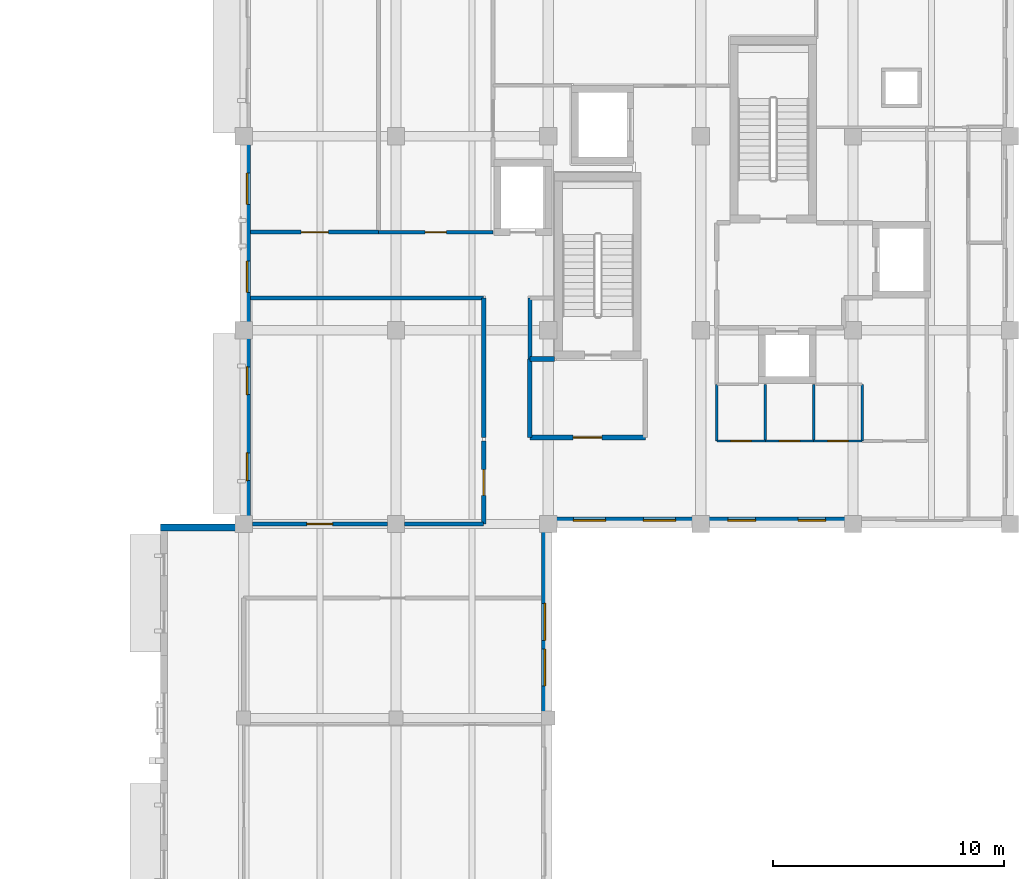
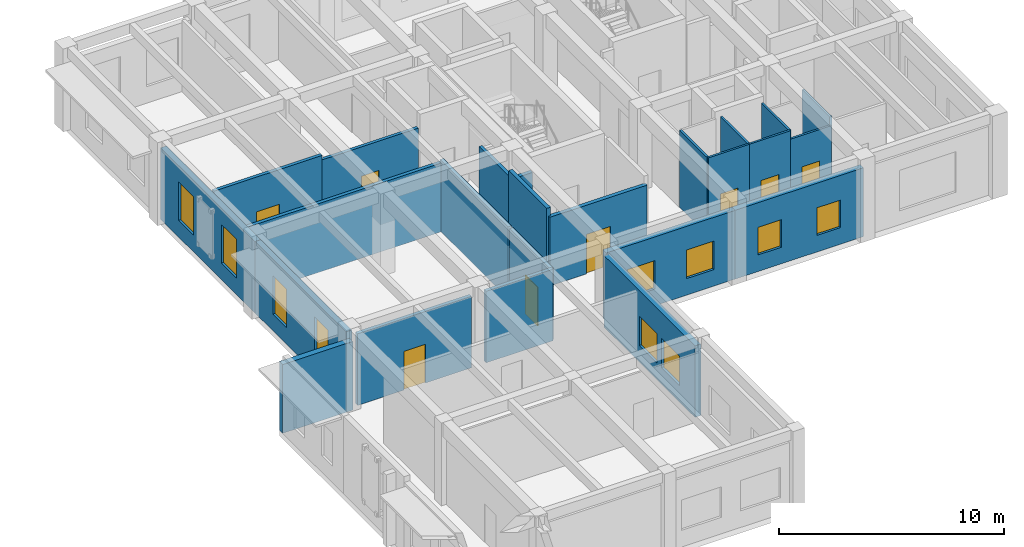
# One storey, part 12 of 25: 24 walls, 10 windows, 8 doors, 18 openings.
"""IFC4 building model written with IfcOpenShell, lengths in metres."""

from ifc_helpers import new_model, si_unit, direction, frame, frame_2d, origin, place, context, subcontext, project, spatial, rectangle, extrude, material, layer, layer_set, type_object, element, fill, save


model = new_model("IFC4")

# Units and contexts
model_context = context("Model", 3, precision=1e-05, world=origin(), true_north=direction((0.0, 1.0)))
body_context = subcontext(model_context, "Body", "Model", "MODEL_VIEW")
ifc_project = project(units=[si_unit("LENGTHUNIT", "METRE"), si_unit("AREAUNIT", "SQUARE_METRE"), si_unit("VOLUMEUNIT", "CUBIC_METRE"), si_unit("PLANEANGLEUNIT", "RADIAN"), si_unit("MASSUNIT", "GRAM", prefix="KILO")], contexts=[model_context])

# Site, building, storey
site_placement = place(None, origin())
site = spatial("IfcSite", under=ifc_project, at=site_placement, CompositionType="ELEMENT")
building_placement = place(site_placement, origin())
building = spatial("IfcBuilding", under=site, at=building_placement, Name="Kolvaren Faculty of Natural Sciences", CompositionType="ELEMENT")
storey_placement = place(building_placement, frame((0.0, 0.0, 19.5)))
storey = spatial("IfcBuildingStorey", under=building, at=storey_placement, Name="L04", CompositionType="ELEMENT", Elevation=19.5)

# Wall, opening, door
ifc_material_1 = material(Name="Acoustic mineral-wool insulated gypsum partition")
ifc_layer_1 = layer(ifc_material_1, 0.159912109375)
ifc_layer_set_1 = layer_set([ifc_layer_1], Name="Acoustic mineral-wool insulated gypsum partition")
wall_type_1 = type_object("IfcWallType", Name="ClassroomPartitionWall_160", PredefinedType="PARTITIONING", material=ifc_layer_set_1)
wall_1_placement = place(storey_placement, frame((149.60009765625, 71.64990234375, 0.0), z_axis=(0.0, 0.0, 1.0), x_axis=(-1.0, 0.0, 0.0)))
wall_1 = element("IfcWall", 1, at=wall_1_placement, inside=storey, type_object=wall_type_1, Name="L04 interior partition PW-160", PredefinedType="PARTITIONING", context=body_context, shape_type="SweptSolid", body=[
    extrude(rectangle(XDim=4.9501953125, YDim=0.159912109375, at=frame_2d((2.47509765625, 0.0))), origin(), (0.0, 0.0, 1.0), 3.735107421875),
])
opening_1_placement = place(wall_1_placement, frame((2.014892578125, 0.0, 0.0)))
opening_1 = element("IfcOpeningElement", 2, at=opening_1_placement, cuts=wall_1, Name="Opening ID-19", PredefinedType="OPENING", context=body_context, shape_type="SweptSolid", body=[
    extrude(rectangle(XDim=0.919921875, YDim=2.139892578125, at=frame_2d((0.4599609375, 1.06982421875))), frame((0.0, 0.08984375, 0.0), z_axis=(0.0, -1.0, 0.0), x_axis=(1.0, 0.0, 0.0)), (0.0, 0.0, 1.0), 0.179931640625),
])
ifc_material_2 = material(Name="Solid-core hardwood veneer door leaf in steel frame", Category="steel")
door_type_1 = type_object("IfcDoorType", Name="InteriorRoomDoor_920x2140", OperationType="NOTDEFINED", PredefinedType="DOOR", material=ifc_material_2)
door_1_placement = place(opening_1_placement, origin())
door_1 = element("IfcDoor", 3, at=door_1_placement, inside=storey, type_object=door_type_1, Name="D-L04-0288", OperationType="SINGLE_SWING_LEFT", OverallHeight=2.139892578125, OverallWidth=0.919921875, PredefinedType="DOOR", context=body_context, shape_type="SweptSolid", body=[
    extrude(rectangle(XDim=0.919921875, YDim=2.139892578125, at=frame_2d((0.4599609375, 1.06982421875))), frame((0.0, 0.02490234375, 0.0), z_axis=(0.0, -1.0, 0.0), x_axis=(1.0, 0.0, 0.0)), (0.0, 0.0, 1.0), 0.050048828125),
])
fill(opening_1, door_1)

# Wall
ifc_material_3 = material(Name="Sandstone-faced insulated cavity masonry", Category="masonry")
ifc_layer_2 = layer(ifc_material_3, 0.300048828125)
ifc_layer_set_2 = layer_set([ifc_layer_2], Name="Sandstone-faced insulated cavity masonry")
wall_type_2 = type_object("IfcWallType", Name="ExteriorCavityWall_300", PredefinedType="STANDARD", material=ifc_layer_set_2)
wall_2_placement = place(storey_placement, frame((135.199951171875, 58.85009765625, 0.0), z_axis=(0.0, 0.0, 1.0), x_axis=(1.0, 0.0, 0.0)))
element("IfcWall", 4, at=wall_2_placement, inside=storey, type_object=wall_type_2, Name="L04 exterior masonry wall EW-300 (602)", PredefinedType="STANDARD", context=body_context, shape_type="SweptSolid", body=[
    extrude(rectangle(XDim=3.60009765625, YDim=0.300048828125, at=frame_2d((1.800048828125, 0.0))), origin(), (0.0, 0.0, 1.0), 3.735107421875),
])

# Wall, openings, windows
wall_3_placement = place(storey_placement, frame((138.949951171875, 59.300048828125, 0.0), z_axis=(0.0, 0.0, 1.0), x_axis=(0.0, 1.0, 0.0)))
wall_3 = element("IfcWall", 5, at=wall_3_placement, inside=storey, type_object=wall_type_2, Name="L04 exterior masonry wall EW-300 (603)", PredefinedType="STANDARD", context=body_context, shape_type="SweptSolid", body=[
    extrude(rectangle(XDim=8.099853515625, YDim=0.300048828125, at=frame_2d((4.0498046875, 0.0))), origin(), (0.0, 0.0, 1.0), 3.885009765625),
])
opening_2_placement = place(wall_3_placement, frame((1.5869140625, 0.0, 0.89990234375)))
opening_2 = element("IfcOpeningElement", 6, at=opening_2_placement, cuts=wall_3, Name="Opening WIN-01", PredefinedType="OPENING", context=body_context, shape_type="SweptSolid", body=[
    extrude(rectangle(XDim=1.199951171875, YDim=2.10009765625, at=frame_2d((0.60009765625, 1.050048828125))), frame((0.0, 0.159912109375, 0.0), z_axis=(0.0, -1.0, 0.0), x_axis=(1.0, 0.0, 0.0)), (0.0, 0.0, 1.0), 0.320068359375),
])
opening_3_placement = place(wall_3_placement, frame((5.31298828125, 0.0, 0.89990234375)))
opening_3 = element("IfcOpeningElement", 7, at=opening_3_placement, cuts=wall_3, Name="Opening WIN-01", PredefinedType="OPENING", context=body_context, shape_type="SweptSolid", body=[
    extrude(rectangle(XDim=1.199951171875, YDim=2.10009765625, at=frame_2d((0.60009765625, 1.050048828125))), frame((0.0, 0.159912109375, 0.0), z_axis=(0.0, -1.0, 0.0), x_axis=(1.0, 0.0, 0.0)), (0.0, 0.0, 1.0), 0.320068359375),
])
ifc_material_4 = material(Name="Double low-E solar control insulated glazing", Category="glass")
window_type_1 = type_object("IfcWindowType", Name="AluWindow_WIN01_1200x2100", PartitioningType="SINGLE_PANEL", PredefinedType="WINDOW", material=ifc_material_4)
window_1_placement = place(opening_2_placement, origin())
window_1 = element("IfcWindow", 8, at=window_1_placement, inside=storey, type_object=window_type_1, Name="WIN-L04-0388", OverallHeight=2.10009765625, OverallWidth=1.199951171875, PartitioningType="SINGLE_PANEL", PredefinedType="WINDOW", context=body_context, shape_type="SweptSolid", body=[
    extrude(rectangle(XDim=1.199951171875, YDim=2.10009765625, at=frame_2d((0.60009765625, 1.050048828125))), frame((0.0, 0.030029296875, 0.0), z_axis=(0.0, -1.0, 0.0), x_axis=(1.0, 0.0, 0.0)), (0.0, 0.0, 1.0), 0.06005859375),
])
fill(opening_2, window_1)
window_2_placement = place(opening_3_placement, origin())
window_2 = element("IfcWindow", 9, at=window_2_placement, inside=storey, type_object=window_type_1, Name="WIN-L04-0389", OverallHeight=2.10009765625, OverallWidth=1.199951171875, PartitioningType="SINGLE_PANEL", PredefinedType="WINDOW", context=body_context, shape_type="SweptSolid", body=[
    extrude(rectangle(XDim=1.199951171875, YDim=2.10009765625, at=frame_2d((0.60009765625, 1.050048828125))), frame((0.0, 0.030029296875, 0.0), z_axis=(0.0, -1.0, 0.0), x_axis=(1.0, 0.0, 0.0)), (0.0, 0.0, 1.0), 0.06005859375),
])
fill(opening_3, window_2)

wall_4_placement = place(storey_placement, frame((138.949951171875, 67.39990234375, 0.0), z_axis=(0.0, 0.0, 1.0), x_axis=(0.0, 1.0, 0.0)))
wall_4 = element("IfcWall", 10, at=wall_4_placement, inside=storey, type_object=wall_type_2, Name="L04 exterior masonry wall EW-300 (604)", PredefinedType="STANDARD", context=body_context, shape_type="SweptSolid", body=[
    extrude(rectangle(XDim=8.400146484375, YDim=0.300048828125, at=frame_2d((4.2001953125, 0.0))), origin(), (0.0, 0.0, 1.0), 3.885009765625),
])
opening_4_placement = place(wall_4_placement, frame((1.639892578125, 0.0, 0.89990234375)))
opening_4 = element("IfcOpeningElement", 11, at=opening_4_placement, cuts=wall_4, Name="Opening WIN-02", PredefinedType="OPENING", context=body_context, shape_type="SweptSolid", body=[
    extrude(rectangle(XDim=1.35009765625, YDim=2.10009765625, at=frame_2d((0.675048828125, 1.050048828125))), frame((0.0, 0.159912109375, 0.0), z_axis=(0.0, -1.0, 0.0), x_axis=(1.0, 0.0, 0.0)), (0.0, 0.0, 1.0), 0.320068359375),
])
opening_5_placement = place(wall_4_placement, frame((5.45703125, 0.0, 0.89990234375)))
opening_5 = element("IfcOpeningElement", 12, at=opening_5_placement, cuts=wall_4, Name="Opening WIN-02", PredefinedType="OPENING", context=body_context, shape_type="SweptSolid", body=[
    extrude(rectangle(XDim=1.35009765625, YDim=2.10009765625, at=frame_2d((0.675048828125, 1.050048828125))), frame((0.0, 0.159912109375, 0.0), z_axis=(0.0, -1.0, 0.0), x_axis=(1.0, 0.0, 0.0)), (0.0, 0.0, 1.0), 0.320068359375),
])
window_type_2 = type_object("IfcWindowType", Name="AluWindow_WIN02_1350x2100", PartitioningType="SINGLE_PANEL", PredefinedType="WINDOW", material=ifc_material_4)
window_3_placement = place(opening_4_placement, origin())
window_3 = element("IfcWindow", 13, at=window_3_placement, inside=storey, type_object=window_type_2, Name="WIN-L04-0390", OverallHeight=2.10009765625, OverallWidth=1.35009765625, PartitioningType="SINGLE_PANEL", PredefinedType="WINDOW", context=body_context, shape_type="SweptSolid", body=[
    extrude(rectangle(XDim=1.35009765625, YDim=2.10009765625, at=frame_2d((0.675048828125, 1.050048828125))), frame((0.0, 0.030029296875, 0.0), z_axis=(0.0, -1.0, 0.0), x_axis=(1.0, 0.0, 0.0)), (0.0, 0.0, 1.0), 0.06005859375),
])
fill(opening_4, window_3)
window_4_placement = place(opening_5_placement, origin())
window_4 = element("IfcWindow", 14, at=window_4_placement, inside=storey, type_object=window_type_2, Name="WIN-L04-0391", OverallHeight=2.10009765625, OverallWidth=1.35009765625, PartitioningType="SINGLE_PANEL", PredefinedType="WINDOW", context=body_context, shape_type="SweptSolid", body=[
    extrude(rectangle(XDim=1.35009765625, YDim=2.10009765625, at=frame_2d((0.675048828125, 1.050048828125))), frame((0.0, 0.030029296875, 0.0), z_axis=(0.0, -1.0, 0.0), x_axis=(1.0, 0.0, 0.0)), (0.0, 0.0, 1.0), 0.06005859375),
])
fill(opening_5, window_4)

wall_5_placement = place(storey_placement, frame((165.199951171875, 59.14990234375, 0.0), z_axis=(0.0, 0.0, 1.0), x_axis=(-1.0, 0.0, 0.0)))
wall_5 = element("IfcWall", 15, at=wall_5_placement, inside=storey, type_object=wall_type_2, Name="L04 exterior masonry wall EW-300 (615)", PredefinedType="STANDARD", context=body_context, shape_type="SweptSolid", body=[
    extrude(rectangle(XDim=6.599853515625, YDim=0.300048828125, at=frame_2d((3.2998046875, 0.0))), origin(), (0.0, 0.0, 1.0), 3.735107421875),
])
opening_6_placement = place(wall_5_placement, frame((1.181884765625, 0.0, 0.89990234375)))
opening_6 = element("IfcOpeningElement", 16, at=opening_6_placement, cuts=wall_5, Name="Opening WIN-13", PredefinedType="OPENING", context=body_context, shape_type="SweptSolid", body=[
    extrude(rectangle(XDim=1.199951171875, YDim=1.5, at=frame_2d((0.60009765625, 0.75))), frame((0.0, 0.159912109375, 0.0), z_axis=(0.0, -1.0, 0.0), x_axis=(1.0, 0.0, 0.0)), (0.0, 0.0, 1.0), 0.320068359375),
])
opening_7_placement = place(wall_5_placement, frame((4.218017578125, 0.0, 0.89990234375)))
opening_7 = element("IfcOpeningElement", 17, at=opening_7_placement, cuts=wall_5, Name="Opening WIN-13", PredefinedType="OPENING", context=body_context, shape_type="SweptSolid", body=[
    extrude(rectangle(XDim=1.199951171875, YDim=1.5, at=frame_2d((0.60009765625, 0.75))), frame((0.0, 0.159912109375, 0.0), z_axis=(0.0, -1.0, 0.0), x_axis=(1.0, 0.0, 0.0)), (0.0, 0.0, 1.0), 0.320068359375),
])
window_type_3 = type_object("IfcWindowType", Name="AluWindow_WIN13_1200x1500", PartitioningType="SINGLE_PANEL", PredefinedType="WINDOW", material=ifc_material_4)
window_5_placement = place(opening_6_placement, origin())
window_5 = element("IfcWindow", 18, at=window_5_placement, inside=storey, type_object=window_type_3, Name="WIN-L04-0407", OverallHeight=1.5, OverallWidth=1.199951171875, PartitioningType="SINGLE_PANEL", PredefinedType="WINDOW", context=body_context, shape_type="SweptSolid", body=[
    extrude(rectangle(XDim=1.199951171875, YDim=1.5, at=frame_2d((0.60009765625, 0.75))), frame((0.0, 0.030029296875, 0.0), z_axis=(0.0, -1.0, 0.0), x_axis=(1.0, 0.0, 0.0)), (0.0, 0.0, 1.0), 0.06005859375),
])
fill(opening_6, window_5)
window_6_placement = place(opening_7_placement, origin())
window_6 = element("IfcWindow", 19, at=window_6_placement, inside=storey, type_object=window_type_3, Name="WIN-L04-0408", OverallHeight=1.5, OverallWidth=1.199951171875, PartitioningType="SINGLE_PANEL", PredefinedType="WINDOW", context=body_context, shape_type="SweptSolid", body=[
    extrude(rectangle(XDim=1.199951171875, YDim=1.5, at=frame_2d((0.60009765625, 0.75))), frame((0.0, 0.030029296875, 0.0), z_axis=(0.0, -1.0, 0.0), x_axis=(1.0, 0.0, 0.0)), (0.0, 0.0, 1.0), 0.06005859375),
])
fill(opening_7, window_6)

wall_6_placement = place(storey_placement, frame((158.60009765625, 59.14990234375, 0.0), z_axis=(0.0, 0.0, 1.0), x_axis=(-1.0, 0.0, 0.0)))
wall_6 = element("IfcWall", 20, at=wall_6_placement, inside=storey, type_object=wall_type_2, Name="L04 exterior masonry wall EW-300 (616)", PredefinedType="STANDARD", context=body_context, shape_type="SweptSolid", body=[
    extrude(rectangle(XDim=6.60009765625, YDim=0.300048828125, at=frame_2d((3.300048828125, 0.0))), origin(), (0.0, 0.0, 1.0), 3.735107421875),
])
opening_8_placement = place(wall_6_placement, frame((1.08203125, 0.0, 0.89990234375)))
opening_8 = element("IfcOpeningElement", 21, at=opening_8_placement, cuts=wall_6, Name="Opening WIN-14", PredefinedType="OPENING", context=body_context, shape_type="SweptSolid", body=[
    extrude(rectangle(XDim=1.39990234375, YDim=1.550048828125, at=frame_2d((0.699951171875, 0.77490234375))), frame((0.0, 0.159912109375, 0.0), z_axis=(0.0, -1.0, 0.0), x_axis=(1.0, 0.0, 0.0)), (0.0, 0.0, 1.0), 0.320068359375),
])
opening_9_placement = place(wall_6_placement, frame((4.117919921875, 0.0, 0.89990234375)))
opening_9 = element("IfcOpeningElement", 22, at=opening_9_placement, cuts=wall_6, Name="Opening WIN-14", PredefinedType="OPENING", context=body_context, shape_type="SweptSolid", body=[
    extrude(rectangle(XDim=1.39990234375, YDim=1.550048828125, at=frame_2d((0.699951171875, 0.77490234375))), frame((0.0, 0.159912109375, 0.0), z_axis=(0.0, -1.0, 0.0), x_axis=(1.0, 0.0, 0.0)), (0.0, 0.0, 1.0), 0.320068359375),
])
window_type_4 = type_object("IfcWindowType", Name="AluWindow_WIN14_1400x1550", PartitioningType="SINGLE_PANEL", PredefinedType="WINDOW", material=ifc_material_4)
window_7_placement = place(opening_8_placement, origin())
window_7 = element("IfcWindow", 23, at=window_7_placement, inside=storey, type_object=window_type_4, Name="WIN-L04-0409", OverallHeight=1.550048828125, OverallWidth=1.39990234375, PartitioningType="SINGLE_PANEL", PredefinedType="WINDOW", context=body_context, shape_type="SweptSolid", body=[
    extrude(rectangle(XDim=1.39990234375, YDim=1.550048828125, at=frame_2d((0.699951171875, 0.77490234375))), frame((0.0, 0.030029296875, 0.0), z_axis=(0.0, -1.0, 0.0), x_axis=(1.0, 0.0, 0.0)), (0.0, 0.0, 1.0), 0.06005859375),
])
fill(opening_8, window_7)
window_8_placement = place(opening_9_placement, origin())
window_8 = element("IfcWindow", 24, at=window_8_placement, inside=storey, type_object=window_type_4, Name="WIN-L04-0410", OverallHeight=1.550048828125, OverallWidth=1.39990234375, PartitioningType="SINGLE_PANEL", PredefinedType="WINDOW", context=body_context, shape_type="SweptSolid", body=[
    extrude(rectangle(XDim=1.39990234375, YDim=1.550048828125, at=frame_2d((0.699951171875, 0.77490234375))), frame((0.0, 0.030029296875, 0.0), z_axis=(0.0, -1.0, 0.0), x_axis=(1.0, 0.0, 0.0)), (0.0, 0.0, 1.0), 0.06005859375),
])
fill(opening_9, window_8)

wall_7_placement = place(storey_placement, frame((151.85009765625, 58.699951171875, 0.0), z_axis=(0.0, 0.0, 1.0), x_axis=(0.0, -1.0, 0.0)))
wall_7 = element("IfcWall", 25, at=wall_7_placement, inside=storey, type_object=wall_type_2, Name="L04 exterior masonry wall EW-300 (617)", PredefinedType="STANDARD", context=body_context, shape_type="SweptSolid", body=[
    extrude(rectangle(XDim=8.099853515625, YDim=0.300048828125, at=frame_2d((4.0498046875, 0.0))), origin(), (0.0, 0.0, 1.0), 3.885009765625),
])
opening_10_placement = place(wall_7_placement, frame((3.139892578125, 0.0, 0.89990234375)))
opening_10 = element("IfcOpeningElement", 26, at=opening_10_placement, cuts=wall_7, Name="Opening WIN-15", PredefinedType="OPENING", context=body_context, shape_type="SweptSolid", body=[
    extrude(rectangle(XDim=1.60009765625, YDim=1.60009765625, at=frame_2d((0.800048828125, 0.800048828125))), frame((0.0, 0.159912109375, 0.0), z_axis=(0.0, -1.0, 0.0), x_axis=(1.0, 0.0, 0.0)), (0.0, 0.0, 1.0), 0.320068359375),
])
opening_11_placement = place(wall_7_placement, frame((5.113037109375, 0.0, 0.89990234375)))
opening_11 = element("IfcOpeningElement", 27, at=opening_11_placement, cuts=wall_7, Name="Opening WIN-15", PredefinedType="OPENING", context=body_context, shape_type="SweptSolid", body=[
    extrude(rectangle(XDim=1.60009765625, YDim=1.60009765625, at=frame_2d((0.800048828125, 0.800048828125))), frame((0.0, 0.159912109375, 0.0), z_axis=(0.0, -1.0, 0.0), x_axis=(1.0, 0.0, 0.0)), (0.0, 0.0, 1.0), 0.320068359375),
])
window_type_5 = type_object("IfcWindowType", Name="AluWindow_WIN15_1600x1600", PartitioningType="SINGLE_PANEL", PredefinedType="WINDOW", material=ifc_material_4)
window_9_placement = place(opening_10_placement, origin())
window_9 = element("IfcWindow", 28, at=window_9_placement, inside=storey, type_object=window_type_5, Name="WIN-L04-0411", OverallHeight=1.60009765625, OverallWidth=1.60009765625, PartitioningType="SINGLE_PANEL", PredefinedType="WINDOW", context=body_context, shape_type="SweptSolid", body=[
    extrude(rectangle(XDim=1.60009765625, YDim=1.60009765625, at=frame_2d((0.800048828125, 0.800048828125))), frame((0.0, 0.030029296875, 0.0), z_axis=(0.0, -1.0, 0.0), x_axis=(1.0, 0.0, 0.0)), (0.0, 0.0, 1.0), 0.06005859375),
])
fill(opening_10, window_9)
window_10_placement = place(opening_11_placement, origin())
window_10 = element("IfcWindow", 29, at=window_10_placement, inside=storey, type_object=window_type_5, Name="WIN-L04-0412", OverallHeight=1.60009765625, OverallWidth=1.60009765625, PartitioningType="SINGLE_PANEL", PredefinedType="WINDOW", context=body_context, shape_type="SweptSolid", body=[
    extrude(rectangle(XDim=1.60009765625, YDim=1.60009765625, at=frame_2d((0.800048828125, 0.800048828125))), frame((0.0, 0.030029296875, 0.0), z_axis=(0.0, -1.0, 0.0), x_axis=(1.0, 0.0, 0.0)), (0.0, 0.0, 1.0), 0.06005859375),
])
fill(opening_11, window_10)

# Wall
ifc_material_5 = material(Name="Autoclaved aerated fire-rated masonry blockwork", Category="masonry")
ifc_layer_3 = layer(ifc_material_5, 0.199951171875)
ifc_layer_set_3 = layer_set([ifc_layer_3], Name="Autoclaved aerated fire-rated masonry blockwork")
wall_type_3 = type_object("IfcWallType", Name="FireLobbyWall_200", PredefinedType="PARTITIONING", material=ifc_layer_set_3)
wall_8_placement = place(storey_placement, frame((151.199951171875, 66.14990234375, 0.0), z_axis=(0.0, 0.0, 1.0), x_axis=(1.0, 0.0, 0.0)))
element("IfcWall", 30, at=wall_8_placement, inside=storey, type_object=wall_type_3, Name="L04 interior partition FW-200", PredefinedType="PARTITIONING", context=body_context, shape_type="SweptSolid", body=[
    extrude(rectangle(XDim=1.074951171875, YDim=0.199951171875, at=frame_2d((0.53759765625, 0.0))), origin(), (0.0, 0.0, 1.0), 3.735107421875),
])

# Wall, opening, door
wall_9_placement = place(storey_placement, frame((156.199951171875, 62.75, 0.0), z_axis=(0.0, 0.0, 1.0), x_axis=(-1.0, 0.0, 0.0)))
wall_9 = element("IfcWall", 31, at=wall_9_placement, inside=storey, type_object=wall_type_3, Name="L04 interior partition FW-200", PredefinedType="PARTITIONING", context=body_context, shape_type="SweptSolid", body=[
    extrude(rectangle(XDim=5.0, YDim=0.199951171875, at=frame_2d((2.5, 0.0))), origin(), (0.0, 0.0, 1.0), 3.735107421875),
])
opening_12_placement = place(wall_9_placement, frame((1.875, 0.0, 0.0)))
opening_12 = element("IfcOpeningElement", 32, at=opening_12_placement, cuts=wall_9, Name="Opening FD60", PredefinedType="OPENING", context=body_context, shape_type="SweptSolid", body=[
    extrude(rectangle(XDim=1.25, YDim=2.14990234375, at=frame_2d((0.625, 1.074951171875))), frame((0.0, 0.10986328125, 0.0), z_axis=(0.0, -1.0, 0.0), x_axis=(1.0, 0.0, 0.0)), (0.0, 0.0, 1.0), 0.219970703125),
])
ifc_material_6 = material(Name="Fire-rated solid-core hardwood door leaf in steel frame", Category="steel")
door_type_2 = type_object("IfcDoorType", Name="RescueLobbyFireDoor_1250x2150", OperationType="NOTDEFINED", PredefinedType="DOOR", material=ifc_material_6)
door_2_placement = place(opening_12_placement, origin())
door_2 = element("IfcDoor", 33, at=door_2_placement, inside=storey, type_object=door_type_2, Name="D-L04-0265", OperationType="SINGLE_SWING_RIGHT", OverallHeight=2.14990234375, OverallWidth=1.25, PredefinedType="DOOR", context=body_context, shape_type="SweptSolid", body=[
    extrude(rectangle(XDim=1.25, YDim=2.14990234375, at=frame_2d((0.625, 1.074951171875))), frame((0.0, 0.02490234375, 0.0), z_axis=(0.0, -1.0, 0.0), x_axis=(1.0, 0.0, 0.0)), (0.0, 0.0, 1.0), 0.050048828125),
])
fill(opening_12, door_2)

# Wall
wall_10_placement = place(storey_placement, frame((151.199951171875, 62.75, 0.0), z_axis=(0.0, 0.0, 1.0), x_axis=(0.0, 1.0, 0.0)))
element("IfcWall", 34, at=wall_10_placement, inside=storey, type_object=wall_type_3, Name="L04 interior partition FW-200", PredefinedType="PARTITIONING", context=body_context, shape_type="SweptSolid", body=[
    extrude(rectangle(XDim=3.39990234375, YDim=0.199951171875, at=frame_2d((1.699951171875, 0.0))), origin(), (0.0, 0.0, 1.0), 4.195068359375),
])

# Wall, opening, door
ifc_layer_4 = layer(ifc_material_1, 0.179931640625)
ifc_layer_set_4 = layer_set([ifc_layer_4], Name="Acoustic mineral-wool insulated gypsum partition")
wall_type_4 = type_object("IfcWallType", Name="LabPartitionWall_180", PredefinedType="PARTITIONING", material=ifc_layer_set_4)
wall_11_placement = place(storey_placement, frame((149.199951171875, 62.60009765625, 0.0), z_axis=(0.0, 0.0, 1.0), x_axis=(0.0, -1.0, 0.0)))
wall_11 = element("IfcWall", 35, at=wall_11_placement, inside=storey, type_object=wall_type_4, Name="L04 interior partition PW-180", PredefinedType="PARTITIONING", context=body_context, shape_type="SweptSolid", body=[
    extrude(rectangle(XDim=3.60009765625, YDim=0.179931640625, at=frame_2d((1.800048828125, 0.0))), origin(), (0.0, 0.0, 1.0), 3.885009765625),
])
opening_13_placement = place(wall_11_placement, frame((1.239990234375, 0.0, 0.0)))
opening_13 = element("IfcOpeningElement", 36, at=opening_13_placement, cuts=wall_11, Name="Opening ID-17", PredefinedType="OPENING", context=body_context, shape_type="SweptSolid", body=[
    extrude(rectangle(XDim=1.1201171875, YDim=2.10009765625, at=frame_2d((0.56005859375, 1.050048828125))), frame((0.0, 0.099853515625, 0.0), z_axis=(0.0, -1.0, 0.0), x_axis=(1.0, 0.0, 0.0)), (0.0, 0.0, 1.0), 0.199951171875),
])
door_type_3 = type_object("IfcDoorType", Name="InteriorRoomDoor_1120x2100", OperationType="NOTDEFINED", PredefinedType="DOOR", material=ifc_material_2)
door_3_placement = place(opening_13_placement, origin())
door_3 = element("IfcDoor", 37, at=door_3_placement, inside=storey, type_object=door_type_3, Name="D-L04-0286", OperationType="SINGLE_SWING_LEFT", OverallHeight=2.10009765625, OverallWidth=1.1201171875, PredefinedType="DOOR", context=body_context, shape_type="SweptSolid", body=[
    extrude(rectangle(XDim=1.1201171875, YDim=2.10009765625, at=frame_2d((0.56005859375, 1.050048828125))), frame((0.0, 0.02490234375, 0.0), z_axis=(0.0, -1.0, 0.0), x_axis=(1.0, 0.0, 0.0)), (0.0, 0.0, 1.0), 0.050048828125),
])
fill(opening_13, door_3)

# Wall
wall_12_placement = place(storey_placement, frame((149.199951171875, 59.0, 0.0), z_axis=(0.0, 0.0, 1.0), x_axis=(-1.0, 0.0, 0.0)))
element("IfcWall", 38, at=wall_12_placement, inside=storey, type_object=wall_type_4, Name="L04 interior partition PW-180", PredefinedType="PARTITIONING", context=body_context, shape_type="SweptSolid", body=[
    extrude(rectangle(XDim=3.425048828125, YDim=0.179931640625, at=frame_2d((1.71240234375, 0.0))), origin(), (0.0, 0.0, 1.0), 3.885009765625),
])

# Wall, opening, door
wall_13_placement = place(storey_placement, frame((145.02490234375, 59.0, 0.0), z_axis=(0.0, 0.0, 1.0), x_axis=(-1.0, 0.0, 0.0)))
wall_13 = element("IfcWall", 39, at=wall_13_placement, inside=storey, type_object=wall_type_4, Name="L04 interior partition PW-180", PredefinedType="PARTITIONING", context=body_context, shape_type="SweptSolid", body=[
    extrude(rectangle(XDim=5.849853515625, YDim=0.179931640625, at=frame_2d((2.9248046875, 0.0))), origin(), (0.0, 0.0, 1.0), 3.885009765625),
])
opening_14_placement = place(wall_13_placement, frame((2.364990234375, 0.0, 0.0)))
opening_14 = element("IfcOpeningElement", 40, at=opening_14_placement, cuts=wall_13, Name="Opening ID-17", PredefinedType="OPENING", context=body_context, shape_type="SweptSolid", body=[
    extrude(rectangle(XDim=1.1201171875, YDim=2.10009765625, at=frame_2d((0.56005859375, 1.050048828125))), frame((0.0, 0.099853515625, 0.0), z_axis=(0.0, -1.0, 0.0), x_axis=(1.0, 0.0, 0.0)), (0.0, 0.0, 1.0), 0.199951171875),
])
door_4_placement = place(opening_14_placement, origin())
door_4 = element("IfcDoor", 41, at=door_4_placement, inside=storey, type_object=door_type_3, Name="D-L04-0285", OperationType="SINGLE_SWING_RIGHT", OverallHeight=2.10009765625, OverallWidth=1.1201171875, PredefinedType="DOOR", context=body_context, shape_type="SweptSolid", body=[
    extrude(rectangle(XDim=1.1201171875, YDim=2.10009765625, at=frame_2d((0.56005859375, 1.050048828125))), frame((0.0, 0.02490234375, 0.0), z_axis=(0.0, -1.0, 0.0), x_axis=(1.0, 0.0, 0.0)), (0.0, 0.0, 1.0), 0.050048828125),
])
fill(opening_14, door_4)

# Walls
wall_14_placement = place(storey_placement, frame((139.10205078125, 68.800048828125, 0.0), z_axis=(0.0, 0.0, 1.0), x_axis=(1.0, 0.0, 0.0)))
element("IfcWall", 42, at=wall_14_placement, inside=storey, type_object=wall_type_4, Name="L04 interior partition PW-180", PredefinedType="PARTITIONING", context=body_context, shape_type="SweptSolid", body=[
    extrude(rectangle(XDim=10.097900390625, YDim=0.179931640625, at=frame_2d((5.048828125, 0.0))), origin(), (0.0, 0.0, 1.0), 3.735107421875),
])
wall_15_placement = place(storey_placement, frame((149.199951171875, 68.800048828125, 0.0), z_axis=(0.0, 0.0, 1.0), x_axis=(0.0, -1.0, 0.0)))
element("IfcWall", 43, at=wall_15_placement, inside=storey, type_object=wall_type_4, Name="L04 interior partition PW-180", PredefinedType="PARTITIONING", context=body_context, shape_type="SweptSolid", body=[
    extrude(rectangle(XDim=6.050048828125, YDim=0.179931640625, at=frame_2d((3.02490234375, 0.0))), origin(), (0.0, 0.0, 1.0), 3.885009765625),
])

# Wall, opening, door
ifc_layer_5 = layer(ifc_material_1, 0.169921875)
ifc_layer_set_5 = layer_set([ifc_layer_5], Name="Acoustic mineral-wool insulated gypsum partition")
wall_type_5 = type_object("IfcWallType", Name="SeminarPartitionWall_170", PredefinedType="PARTITIONING", material=ifc_layer_set_5)
wall_16_placement = place(storey_placement, frame((144.64990234375, 71.64990234375, 0.0), z_axis=(0.0, 0.0, 1.0), x_axis=(-1.0, 0.0, 0.0)))
wall_16 = element("IfcWall", 44, at=wall_16_placement, inside=storey, type_object=wall_type_5, Name="L04 interior partition PW-170", PredefinedType="PARTITIONING", context=body_context, shape_type="SweptSolid", body=[
    extrude(rectangle(XDim=5.5478515625, YDim=0.169921875, at=frame_2d((2.77392578125, 0.0))), origin(), (0.0, 0.0, 1.0), 3.985107421875),
])
opening_15_placement = place(wall_16_placement, frame((2.18408203125, 0.0, 0.0)))
opening_15 = element("IfcOpeningElement", 45, at=opening_15_placement, cuts=wall_16, Name="Opening ID-18", PredefinedType="OPENING", context=body_context, shape_type="SweptSolid", body=[
    extrude(rectangle(XDim=1.179931640625, YDim=2.10009765625, at=frame_2d((0.58984375, 1.050048828125))), frame((0.0, 0.094970703125, 0.0), z_axis=(0.0, -1.0, 0.0), x_axis=(1.0, 0.0, 0.0)), (0.0, 0.0, 1.0), 0.18994140625),
])
door_type_4 = type_object("IfcDoorType", Name="InteriorRoomDoor_1180x2100", OperationType="NOTDEFINED", PredefinedType="DOOR", material=ifc_material_2)
door_5_placement = place(opening_15_placement, origin())
door_5 = element("IfcDoor", 46, at=door_5_placement, inside=storey, type_object=door_type_4, Name="D-L04-0287", OperationType="SINGLE_SWING_RIGHT", OverallHeight=2.10009765625, OverallWidth=1.179931640625, PredefinedType="DOOR", context=body_context, shape_type="SweptSolid", body=[
    extrude(rectangle(XDim=1.179931640625, YDim=2.10009765625, at=frame_2d((0.58984375, 1.050048828125))), frame((0.0, 0.02490234375, 0.0), z_axis=(0.0, -1.0, 0.0), x_axis=(1.0, 0.0, 0.0)), (0.0, 0.0, 1.0), 0.050048828125),
])
fill(opening_15, door_5)

# Walls
wall_17_placement = place(storey_placement, frame((151.199951171875, 66.14990234375, 0.0), z_axis=(0.0, 0.0, 1.0), x_axis=(0.0, 1.0, 0.0)))
element("IfcWall", 47, at=wall_17_placement, inside=storey, type_object=wall_type_5, Name="L04 interior partition PW-170", PredefinedType="PARTITIONING", context=body_context, shape_type="SweptSolid", body=[
    extrude(rectangle(XDim=2.650146484375, YDim=0.169921875, at=frame_2d((1.3251953125, 0.0))), origin(), (0.0, 0.0, 1.0), 3.885009765625),
])
ifc_layer_6 = layer(ifc_material_1, 0.10498046875)
ifc_layer_set_6 = layer_set([ifc_layer_6], Name="Acoustic mineral-wool insulated gypsum partition")
wall_type_6 = type_object("IfcWallType", Name="WetRoomPartition_105", PredefinedType="PARTITIONING", material=ifc_layer_set_6)
wall_18_placement = place(storey_placement, frame((161.39990234375, 65.050048828125, 0.0), z_axis=(0.0, 0.0, 1.0), x_axis=(0.0, -1.0, 0.0)))
element("IfcWall", 48, at=wall_18_placement, inside=storey, type_object=wall_type_6, Name="L04 interior partition PW-105", PredefinedType="PARTITIONING", context=body_context, shape_type="SweptSolid", body=[
    extrude(rectangle(XDim=2.449951171875, YDim=0.10498046875, at=frame_2d((1.22509765625, 0.0))), origin(), (0.0, 0.0, 1.0), 4.195068359375),
])

# Wall, opening, door
wall_19_placement = place(storey_placement, frame((161.39990234375, 62.60009765625, 0.0), z_axis=(0.0, 0.0, 1.0), x_axis=(-1.0, 0.0, 0.0)))
wall_19 = element("IfcWall", 49, at=wall_19_placement, inside=storey, type_object=wall_type_6, Name="L04 interior partition PW-105", PredefinedType="PARTITIONING", context=body_context, shape_type="SweptSolid", body=[
    extrude(rectangle(XDim=2.099853515625, YDim=0.10498046875, at=frame_2d((1.0498046875, 0.0))), origin(), (0.0, 0.0, 1.0), 4.195068359375),
])
opening_16_placement = place(wall_19_placement, frame((0.60009765625, 0.0, 0.0)))
opening_16 = element("IfcOpeningElement", 50, at=opening_16_placement, cuts=wall_19, Name="Opening ID-01", PredefinedType="OPENING", context=body_context, shape_type="SweptSolid", body=[
    extrude(rectangle(XDim=0.89990234375, YDim=2.02001953125, at=frame_2d((0.449951171875, 1.010009765625))), frame((0.0, 0.0625, 0.0), z_axis=(0.0, -1.0, 0.0), x_axis=(1.0, 0.0, 0.0)), (0.0, 0.0, 1.0), 0.125),
])
door_type_5 = type_object("IfcDoorType", Name="InteriorRoomDoor_900x2020", OperationType="NOTDEFINED", PredefinedType="DOOR", material=ifc_material_2)
door_6_placement = place(opening_16_placement, origin())
door_6 = element("IfcDoor", 51, at=door_6_placement, inside=storey, type_object=door_type_5, Name="D-L04-0269", OperationType="SINGLE_SWING_RIGHT", OverallHeight=2.02001953125, OverallWidth=0.89990234375, PredefinedType="DOOR", context=body_context, shape_type="SweptSolid", body=[
    extrude(rectangle(XDim=0.89990234375, YDim=2.02001953125, at=frame_2d((0.449951171875, 1.010009765625))), frame((0.0, 0.02490234375, 0.0), z_axis=(0.0, -1.0, 0.0), x_axis=(1.0, 0.0, 0.0)), (0.0, 0.0, 1.0), 0.050048828125),
])
fill(opening_16, door_6)

# Walls
for number, where, z_axis, x_axis, name in (
    (52, (159.300048828125, 62.60009765625, 0.0), (0.0, 0.0, 1.0), (0.0, 1.0, 0.0), "L04 interior partition PW-105"),
    (53, (163.5, 65.050048828125, 0.0), (0.0, 0.0, 1.0), (0.0, -1.0, 0.0), "L04 interior partition PW-105"),
):
    element("IfcWall", number, at=place(storey_placement, frame(where, z_axis=z_axis, x_axis=x_axis)), inside=storey, type_object=wall_type_6, Name=name, PredefinedType="PARTITIONING", context=body_context, shape_type="SweptSolid", body=[
        extrude(rectangle(XDim=2.449951171875, YDim=0.10498046875, at=frame_2d((1.22509765625, 0.0))), origin(), (0.0, 0.0, 1.0), 4.195068359375),
    ])

# Wall, opening, door
wall_20_placement = place(storey_placement, frame((163.5, 62.60009765625, 0.0), z_axis=(0.0, 0.0, 1.0), x_axis=(-1.0, 0.0, 0.0)))
wall_20 = element("IfcWall", 54, at=wall_20_placement, inside=storey, type_object=wall_type_6, Name="L04 interior partition PW-105", PredefinedType="PARTITIONING", context=body_context, shape_type="SweptSolid", body=[
    extrude(rectangle(XDim=2.10009765625, YDim=0.10498046875, at=frame_2d((1.050048828125, 0.0))), origin(), (0.0, 0.0, 1.0), 4.195068359375),
])
opening_17_placement = place(wall_20_placement, frame((0.60009765625, 0.0, 0.0)))
opening_17 = element("IfcOpeningElement", 55, at=opening_17_placement, cuts=wall_20, Name="Opening ID-01", PredefinedType="OPENING", context=body_context, shape_type="SweptSolid", body=[
    extrude(rectangle(XDim=0.89990234375, YDim=2.02001953125, at=frame_2d((0.449951171875, 1.010009765625))), frame((0.0, 0.0625, 0.0), z_axis=(0.0, -1.0, 0.0), x_axis=(1.0, 0.0, 0.0)), (0.0, 0.0, 1.0), 0.125),
])
door_7_placement = place(opening_17_placement, origin())
door_7 = element("IfcDoor", 56, at=door_7_placement, inside=storey, type_object=door_type_5, Name="D-L04-0270", OperationType="SINGLE_SWING_LEFT", OverallHeight=2.02001953125, OverallWidth=0.89990234375, PredefinedType="DOOR", context=body_context, shape_type="SweptSolid", body=[
    extrude(rectangle(XDim=0.89990234375, YDim=2.02001953125, at=frame_2d((0.449951171875, 1.010009765625))), frame((0.0, 0.02490234375, 0.0), z_axis=(0.0, -1.0, 0.0), x_axis=(1.0, 0.0, 0.0)), (0.0, 0.0, 1.0), 0.050048828125),
])
fill(opening_17, door_7)

# Wall
wall_21_placement = place(storey_placement, frame((165.60009765625, 65.050048828125, 0.0), z_axis=(0.0, 0.0, 1.0), x_axis=(0.0, -1.0, 0.0)))
element("IfcWall", 57, at=wall_21_placement, inside=storey, type_object=wall_type_6, Name="L04 interior partition PW-105", PredefinedType="PARTITIONING", context=body_context, shape_type="SweptSolid", body=[
    extrude(rectangle(XDim=2.449951171875, YDim=0.10498046875, at=frame_2d((1.22509765625, 0.0))), origin(), (0.0, 0.0, 1.0), 4.195068359375),
])

# Wall, opening, door
wall_22_placement = place(storey_placement, frame((165.60009765625, 62.60009765625, 0.0), z_axis=(0.0, 0.0, 1.0), x_axis=(-1.0, 0.0, 0.0)))
wall_22 = element("IfcWall", 58, at=wall_22_placement, inside=storey, type_object=wall_type_6, Name="L04 interior partition PW-105", PredefinedType="PARTITIONING", context=body_context, shape_type="SweptSolid", body=[
    extrude(rectangle(XDim=2.10009765625, YDim=0.10498046875, at=frame_2d((1.050048828125, 0.0))), origin(), (0.0, 0.0, 1.0), 3.735107421875),
])
opening_18_placement = place(wall_22_placement, frame((0.60009765625, 0.0, 0.0)))
opening_18 = element("IfcOpeningElement", 59, at=opening_18_placement, cuts=wall_22, Name="Opening ID-01", PredefinedType="OPENING", context=body_context, shape_type="SweptSolid", body=[
    extrude(rectangle(XDim=0.89990234375, YDim=2.02001953125, at=frame_2d((0.449951171875, 1.010009765625))), frame((0.0, 0.0625, 0.0), z_axis=(0.0, -1.0, 0.0), x_axis=(1.0, 0.0, 0.0)), (0.0, 0.0, 1.0), 0.125),
])
door_8_placement = place(opening_18_placement, origin())
door_8 = element("IfcDoor", 60, at=door_8_placement, inside=storey, type_object=door_type_5, Name="D-L04-0271", OperationType="SINGLE_SWING_RIGHT", OverallHeight=2.02001953125, OverallWidth=0.89990234375, PredefinedType="DOOR", context=body_context, shape_type="SweptSolid", body=[
    extrude(rectangle(XDim=0.89990234375, YDim=2.02001953125, at=frame_2d((0.449951171875, 1.010009765625))), frame((0.0, 0.02490234375, 0.0), z_axis=(0.0, -1.0, 0.0), x_axis=(1.0, 0.0, 0.0)), (0.0, 0.0, 1.0), 0.050048828125),
])
fill(opening_18, door_8)

save(model, "model.ifc")
